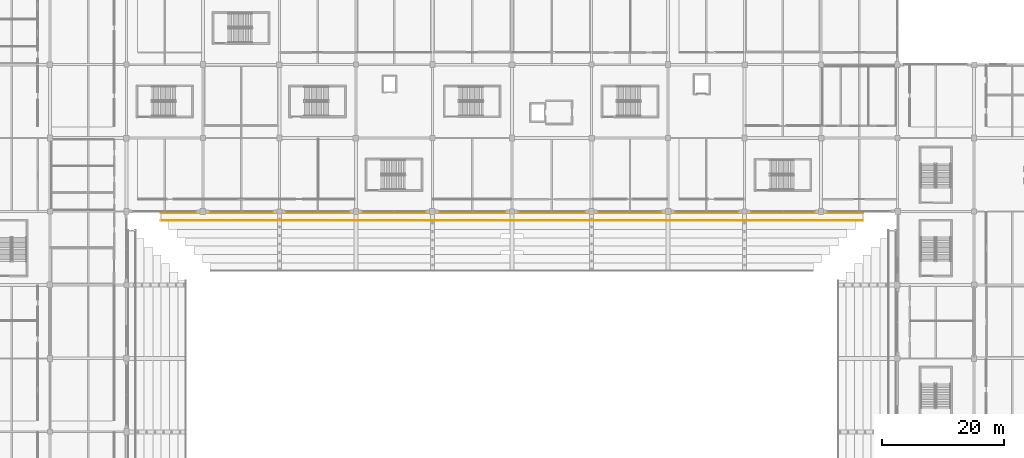
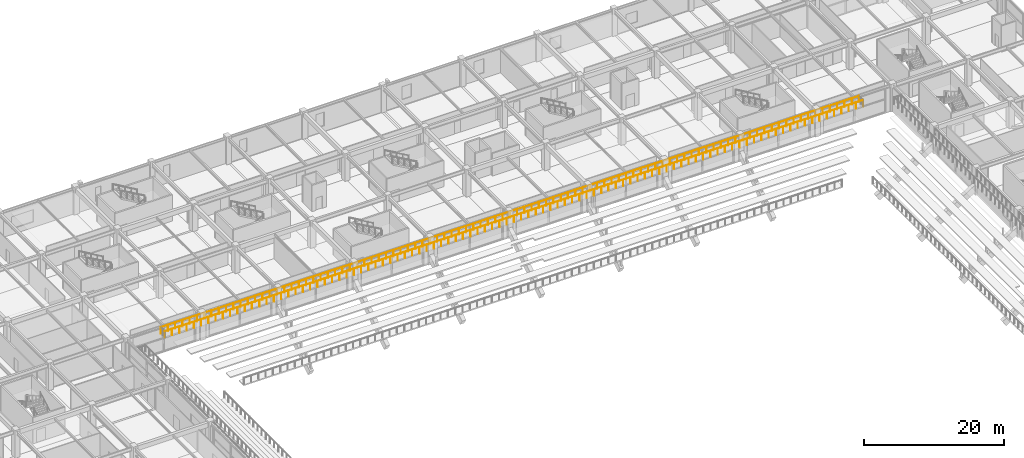
# One storey, part 128 of 134: 2 railings.
"""IFC4 building model written with IfcOpenShell, lengths in metres."""

from ifc_helpers import new_model, si_unit, direction, frame, origin, origin_2d, place, context, subcontext, project, spatial, circle, extrude, material, layer, layer_set, type_object, element, save


model = new_model("IFC4")

# Units and contexts
model_context = context("Model", 3, precision=1e-05, world=origin(), true_north=direction((0.0, 1.0)))
body_context = subcontext(model_context, "Body", "Model", "MODEL_VIEW")
ifc_project = project(units=[si_unit("LENGTHUNIT", "METRE"), si_unit("AREAUNIT", "SQUARE_METRE"), si_unit("VOLUMEUNIT", "CUBIC_METRE"), si_unit("PLANEANGLEUNIT", "RADIAN"), si_unit("MASSUNIT", "GRAM", prefix="KILO")], contexts=[model_context])

# Site, building, storey
site_placement = place(None, origin())
site = spatial("IfcSite", under=ifc_project, at=site_placement, CompositionType="ELEMENT")
building_placement = place(site_placement, origin())
building = spatial("IfcBuilding", under=site, at=building_placement, Name="Kazenohara Klinker Stadium", CompositionType="ELEMENT")
storey_placement = place(building_placement, frame((0.0, 0.0, 5.39990234375)))
storey = spatial("IfcBuildingStorey", under=building, at=storey_placement, Name="L01", CompositionType="ELEMENT", Elevation=5.39990234375)

# Railings
ifc_material = material(Name="Galvanised powder-coated steel guardrail", Category="steel")
ifc_layer = layer(ifc_material, 0.070068359375)
ifc_layer_set = layer_set([ifc_layer], Name="Galvanised powder-coated steel guardrail")
railing_type = type_object("IfcRailingType", Name="RL-GRD-1150", PredefinedType="GUARDRAIL", material=ifc_layer_set)
railing_1_placement = place(storey_placement, frame((54.59130859375, 130.548583984375, 3.400146484375)))
element("IfcRailing", 1, at=railing_1_placement, inside=storey, type_object=railing_type, Name="Spectator stand sightline guardrail TIER-LOWER-N-01-S", PredefinedType="GUARDRAIL", context=body_context, shape_type="SweptSolid", body=[
    extrude(circle(Radius=0.02392578125, at=origin_2d()), frame((0.0, 0.0, 1.1259765625), z_axis=(1.0, 0.0, 0.0), x_axis=(0.0, 1.0, 0.0)), (0.0, 0.0, 1.0), 114.8173828125),
    extrude(circle(Radius=0.02099609375, at=origin_2d()), origin(), (0.0, 0.0, 1.0), 1.101806640625),
    extrude(circle(Radius=0.02099609375, at=origin_2d()), frame((1.196044921875, 0.0, 0.0)), (0.0, 0.0, 1.0), 1.101806640625),
    extrude(circle(Radius=0.02099609375, at=origin_2d()), frame((2.39208984375, 0.0, 0.0)), (0.0, 0.0, 1.0), 1.101806640625),
    extrude(circle(Radius=0.02099609375, at=origin_2d()), frame((3.588134765625, 0.0, 0.0)), (0.0, 0.0, 1.0), 1.101806640625),
    extrude(circle(Radius=0.02099609375, at=origin_2d()), frame((4.7841796875, 0.0, 0.0)), (0.0, 0.0, 1.0), 1.101806640625),
    extrude(circle(Radius=0.02099609375, at=origin_2d()), frame((5.97998046875, 0.0, 0.0)), (0.0, 0.0, 1.0), 1.101806640625),
    extrude(circle(Radius=0.02099609375, at=origin_2d()), frame((7.176025390625, 0.0, 0.0)), (0.0, 0.0, 1.0), 1.101806640625),
    extrude(circle(Radius=0.02099609375, at=origin_2d()), frame((8.3720703125, 0.0, 0.0)), (0.0, 0.0, 1.0), 1.101806640625),
    extrude(circle(Radius=0.02099609375, at=origin_2d()), frame((9.568115234375, 0.0, 0.0)), (0.0, 0.0, 1.0), 1.101806640625),
    extrude(circle(Radius=0.02099609375, at=origin_2d()), frame((10.76416015625, 0.0, 0.0)), (0.0, 0.0, 1.0), 1.101806640625),
    extrude(circle(Radius=0.02099609375, at=origin_2d()), frame((11.960205078125, 0.0, 0.0)), (0.0, 0.0, 1.0), 1.101806640625),
    extrude(circle(Radius=0.02099609375, at=origin_2d()), frame((13.15625, 0.0, 0.0)), (0.0, 0.0, 1.0), 1.101806640625),
    extrude(circle(Radius=0.02099609375, at=origin_2d()), frame((14.35205078125, 0.0, 0.0)), (0.0, 0.0, 1.0), 1.101806640625),
    extrude(circle(Radius=0.02099609375, at=origin_2d()), frame((15.548095703125, 0.0, 0.0)), (0.0, 0.0, 1.0), 1.101806640625),
    extrude(circle(Radius=0.02099609375, at=origin_2d()), frame((16.744140625, 0.0, 0.0)), (0.0, 0.0, 1.0), 1.101806640625),
    extrude(circle(Radius=0.02099609375, at=origin_2d()), frame((17.940185546875, 0.0, 0.0)), (0.0, 0.0, 1.0), 1.101806640625),
    extrude(circle(Radius=0.02099609375, at=origin_2d()), frame((19.13623046875, 0.0, 0.0)), (0.0, 0.0, 1.0), 1.101806640625),
    extrude(circle(Radius=0.02099609375, at=origin_2d()), frame((20.332275390625, 0.0, 0.0)), (0.0, 0.0, 1.0), 1.101806640625),
    extrude(circle(Radius=0.02099609375, at=origin_2d()), frame((21.5283203125, 0.0, 0.0)), (0.0, 0.0, 1.0), 1.101806640625),
    extrude(circle(Radius=0.02099609375, at=origin_2d()), frame((22.724365234375, 0.0, 0.0)), (0.0, 0.0, 1.0), 1.101806640625),
    extrude(circle(Radius=0.02099609375, at=origin_2d()), frame((23.92041015625, 0.0, 0.0)), (0.0, 0.0, 1.0), 1.101806640625),
    extrude(circle(Radius=0.02099609375, at=origin_2d()), frame((25.1162109375, 0.0, 0.0)), (0.0, 0.0, 1.0), 1.101806640625),
    extrude(circle(Radius=0.02099609375, at=origin_2d()), frame((26.312255859375, 0.0, 0.0)), (0.0, 0.0, 1.0), 1.101806640625),
    extrude(circle(Radius=0.02099609375, at=origin_2d()), frame((27.50830078125, 0.0, 0.0)), (0.0, 0.0, 1.0), 1.101806640625),
    extrude(circle(Radius=0.02099609375, at=origin_2d()), frame((28.704345703125, 0.0, 0.0)), (0.0, 0.0, 1.0), 1.101806640625),
    extrude(circle(Radius=0.02099609375, at=origin_2d()), frame((29.900390625, 0.0, 0.0)), (0.0, 0.0, 1.0), 1.101806640625),
    extrude(circle(Radius=0.02099609375, at=origin_2d()), frame((31.096435546875, 0.0, 0.0)), (0.0, 0.0, 1.0), 1.101806640625),
    extrude(circle(Radius=0.02099609375, at=origin_2d()), frame((32.29248046875, 0.0, 0.0)), (0.0, 0.0, 1.0), 1.101806640625),
    extrude(circle(Radius=0.02099609375, at=origin_2d()), frame((33.48828125, 0.0, 0.0)), (0.0, 0.0, 1.0), 1.101806640625),
    extrude(circle(Radius=0.02099609375, at=origin_2d()), frame((34.684326171875, 0.0, 0.0)), (0.0, 0.0, 1.0), 1.101806640625),
    extrude(circle(Radius=0.02099609375, at=origin_2d()), frame((35.88037109375, 0.0, 0.0)), (0.0, 0.0, 1.0), 1.101806640625),
    extrude(circle(Radius=0.02099609375, at=origin_2d()), frame((37.076416015625, 0.0, 0.0)), (0.0, 0.0, 1.0), 1.101806640625),
    extrude(circle(Radius=0.02099609375, at=origin_2d()), frame((38.2724609375, 0.0, 0.0)), (0.0, 0.0, 1.0), 1.101806640625),
    extrude(circle(Radius=0.02099609375, at=origin_2d()), frame((39.468505859375, 0.0, 0.0)), (0.0, 0.0, 1.0), 1.101806640625),
    extrude(circle(Radius=0.02099609375, at=origin_2d()), frame((40.66455078125, 0.0, 0.0)), (0.0, 0.0, 1.0), 1.101806640625),
    extrude(circle(Radius=0.02099609375, at=origin_2d()), frame((41.860595703125, 0.0, 0.0)), (0.0, 0.0, 1.0), 1.101806640625),
    extrude(circle(Radius=0.02099609375, at=origin_2d()), frame((43.056640625, 0.0, 0.0)), (0.0, 0.0, 1.0), 1.101806640625),
    extrude(circle(Radius=0.02099609375, at=origin_2d()), frame((44.25244140625, 0.0, 0.0)), (0.0, 0.0, 1.0), 1.101806640625),
    extrude(circle(Radius=0.02099609375, at=origin_2d()), frame((45.448486328125, 0.0, 0.0)), (0.0, 0.0, 1.0), 1.101806640625),
    extrude(circle(Radius=0.02099609375, at=origin_2d()), frame((46.64453125, 0.0, 0.0)), (0.0, 0.0, 1.0), 1.101806640625),
    extrude(circle(Radius=0.02099609375, at=origin_2d()), frame((47.840576171875, 0.0, 0.0)), (0.0, 0.0, 1.0), 1.101806640625),
    extrude(circle(Radius=0.02099609375, at=origin_2d()), frame((49.03662109375, 0.0, 0.0)), (0.0, 0.0, 1.0), 1.101806640625),
    extrude(circle(Radius=0.02099609375, at=origin_2d()), frame((50.232666015625, 0.0, 0.0)), (0.0, 0.0, 1.0), 1.101806640625),
    extrude(circle(Radius=0.02099609375, at=origin_2d()), frame((51.4287109375, 0.0, 0.0)), (0.0, 0.0, 1.0), 1.101806640625),
    extrude(circle(Radius=0.02099609375, at=origin_2d()), frame((52.62451171875, 0.0, 0.0)), (0.0, 0.0, 1.0), 1.101806640625),
    extrude(circle(Radius=0.02099609375, at=origin_2d()), frame((53.820556640625, 0.0, 0.0)), (0.0, 0.0, 1.0), 1.101806640625),
    extrude(circle(Radius=0.02099609375, at=origin_2d()), frame((55.0166015625, 0.0, 0.0)), (0.0, 0.0, 1.0), 1.101806640625),
    extrude(circle(Radius=0.02099609375, at=origin_2d()), frame((56.212646484375, 0.0, 0.0)), (0.0, 0.0, 1.0), 1.101806640625),
    extrude(circle(Radius=0.02099609375, at=origin_2d()), frame((57.40869140625, 0.0, 0.0)), (0.0, 0.0, 1.0), 1.101806640625),
    extrude(circle(Radius=0.02099609375, at=origin_2d()), frame((58.604736328125, 0.0, 0.0)), (0.0, 0.0, 1.0), 1.101806640625),
    extrude(circle(Radius=0.02099609375, at=origin_2d()), frame((59.80078125, 0.0, 0.0)), (0.0, 0.0, 1.0), 1.101806640625),
    extrude(circle(Radius=0.02099609375, at=origin_2d()), frame((60.996826171875, 0.0, 0.0)), (0.0, 0.0, 1.0), 1.101806640625),
    extrude(circle(Radius=0.02099609375, at=origin_2d()), frame((62.192626953125, 0.0, 0.0)), (0.0, 0.0, 1.0), 1.101806640625),
    extrude(circle(Radius=0.02099609375, at=origin_2d()), frame((63.388671875, 0.0, 0.0)), (0.0, 0.0, 1.0), 1.101806640625),
    extrude(circle(Radius=0.02099609375, at=origin_2d()), frame((64.584716796875, 0.0, 0.0)), (0.0, 0.0, 1.0), 1.101806640625),
    extrude(circle(Radius=0.02099609375, at=origin_2d()), frame((65.78076171875, 0.0, 0.0)), (0.0, 0.0, 1.0), 1.101806640625),
    extrude(circle(Radius=0.02099609375, at=origin_2d()), frame((66.976806640625, 0.0, 0.0)), (0.0, 0.0, 1.0), 1.101806640625),
    extrude(circle(Radius=0.02099609375, at=origin_2d()), frame((68.1728515625, 0.0, 0.0)), (0.0, 0.0, 1.0), 1.101806640625),
    extrude(circle(Radius=0.02099609375, at=origin_2d()), frame((69.368896484375, 0.0, 0.0)), (0.0, 0.0, 1.0), 1.101806640625),
    extrude(circle(Radius=0.02099609375, at=origin_2d()), frame((70.56494140625, 0.0, 0.0)), (0.0, 0.0, 1.0), 1.101806640625),
    extrude(circle(Radius=0.02099609375, at=origin_2d()), frame((71.7607421875, 0.0, 0.0)), (0.0, 0.0, 1.0), 1.101806640625),
    extrude(circle(Radius=0.02099609375, at=origin_2d()), frame((72.956787109375, 0.0, 0.0)), (0.0, 0.0, 1.0), 1.101806640625),
    extrude(circle(Radius=0.02099609375, at=origin_2d()), frame((74.15283203125, 0.0, 0.0)), (0.0, 0.0, 1.0), 1.101806640625),
    extrude(circle(Radius=0.02099609375, at=origin_2d()), frame((75.348876953125, 0.0, 0.0)), (0.0, 0.0, 1.0), 1.101806640625),
    extrude(circle(Radius=0.02099609375, at=origin_2d()), frame((76.544921875, 0.0, 0.0)), (0.0, 0.0, 1.0), 1.101806640625),
    extrude(circle(Radius=0.02099609375, at=origin_2d()), frame((77.740966796875, 0.0, 0.0)), (0.0, 0.0, 1.0), 1.101806640625),
    extrude(circle(Radius=0.02099609375, at=origin_2d()), frame((78.93701171875, 0.0, 0.0)), (0.0, 0.0, 1.0), 1.101806640625),
    extrude(circle(Radius=0.02099609375, at=origin_2d()), frame((80.133056640625, 0.0, 0.0)), (0.0, 0.0, 1.0), 1.101806640625),
    extrude(circle(Radius=0.02099609375, at=origin_2d()), frame((81.3291015625, 0.0, 0.0)), (0.0, 0.0, 1.0), 1.101806640625),
    extrude(circle(Radius=0.02099609375, at=origin_2d()), frame((82.52490234375, 0.0, 0.0)), (0.0, 0.0, 1.0), 1.101806640625),
    extrude(circle(Radius=0.02099609375, at=origin_2d()), frame((83.720947265625, 0.0, 0.0)), (0.0, 0.0, 1.0), 1.101806640625),
    extrude(circle(Radius=0.02099609375, at=origin_2d()), frame((84.9169921875, 0.0, 0.0)), (0.0, 0.0, 1.0), 1.101806640625),
    extrude(circle(Radius=0.02099609375, at=origin_2d()), frame((86.113037109375, 0.0, 0.0)), (0.0, 0.0, 1.0), 1.101806640625),
    extrude(circle(Radius=0.02099609375, at=origin_2d()), frame((87.30908203125, 0.0, 0.0)), (0.0, 0.0, 1.0), 1.101806640625),
    extrude(circle(Radius=0.02099609375, at=origin_2d()), frame((88.505126953125, 0.0, 0.0)), (0.0, 0.0, 1.0), 1.101806640625),
    extrude(circle(Radius=0.02099609375, at=origin_2d()), frame((89.701171875, 0.0, 0.0)), (0.0, 0.0, 1.0), 1.101806640625),
    extrude(circle(Radius=0.02099609375, at=origin_2d()), frame((90.89697265625, 0.0, 0.0)), (0.0, 0.0, 1.0), 1.101806640625),
    extrude(circle(Radius=0.02099609375, at=origin_2d()), frame((92.093017578125, 0.0, 0.0)), (0.0, 0.0, 1.0), 1.101806640625),
    extrude(circle(Radius=0.02099609375, at=origin_2d()), frame((93.2890625, 0.0, 0.0)), (0.0, 0.0, 1.0), 1.101806640625),
    extrude(circle(Radius=0.02099609375, at=origin_2d()), frame((94.485107421875, 0.0, 0.0)), (0.0, 0.0, 1.0), 1.101806640625),
    extrude(circle(Radius=0.02099609375, at=origin_2d()), frame((95.68115234375, 0.0, 0.0)), (0.0, 0.0, 1.0), 1.101806640625),
    extrude(circle(Radius=0.02099609375, at=origin_2d()), frame((96.877197265625, 0.0, 0.0)), (0.0, 0.0, 1.0), 1.101806640625),
    extrude(circle(Radius=0.02099609375, at=origin_2d()), frame((98.0732421875, 0.0, 0.0)), (0.0, 0.0, 1.0), 1.101806640625),
    extrude(circle(Radius=0.02099609375, at=origin_2d()), frame((99.269287109375, 0.0, 0.0)), (0.0, 0.0, 1.0), 1.101806640625),
    extrude(circle(Radius=0.02099609375, at=origin_2d()), frame((100.46533203125, 0.0, 0.0)), (0.0, 0.0, 1.0), 1.101806640625),
    extrude(circle(Radius=0.02099609375, at=origin_2d()), frame((101.6611328125, 0.0, 0.0)), (0.0, 0.0, 1.0), 1.101806640625),
    extrude(circle(Radius=0.02099609375, at=origin_2d()), frame((102.857177734375, 0.0, 0.0)), (0.0, 0.0, 1.0), 1.101806640625),
    extrude(circle(Radius=0.02099609375, at=origin_2d()), frame((104.05322265625, 0.0, 0.0)), (0.0, 0.0, 1.0), 1.101806640625),
    extrude(circle(Radius=0.02099609375, at=origin_2d()), frame((105.249267578125, 0.0, 0.0)), (0.0, 0.0, 1.0), 1.101806640625),
    extrude(circle(Radius=0.02099609375, at=origin_2d()), frame((106.4453125, 0.0, 0.0)), (0.0, 0.0, 1.0), 1.101806640625),
    extrude(circle(Radius=0.02099609375, at=origin_2d()), frame((107.641357421875, 0.0, 0.0)), (0.0, 0.0, 1.0), 1.101806640625),
    extrude(circle(Radius=0.02099609375, at=origin_2d()), frame((108.83740234375, 0.0, 0.0)), (0.0, 0.0, 1.0), 1.101806640625),
    extrude(circle(Radius=0.02099609375, at=origin_2d()), frame((110.033203125, 0.0, 0.0)), (0.0, 0.0, 1.0), 1.101806640625),
    extrude(circle(Radius=0.02099609375, at=origin_2d()), frame((111.229248046875, 0.0, 0.0)), (0.0, 0.0, 1.0), 1.101806640625),
    extrude(circle(Radius=0.02099609375, at=origin_2d()), frame((112.42529296875, 0.0, 0.0)), (0.0, 0.0, 1.0), 1.101806640625),
    extrude(circle(Radius=0.02099609375, at=origin_2d()), frame((113.621337890625, 0.0, 0.0)), (0.0, 0.0, 1.0), 1.101806640625),
    extrude(circle(Radius=0.02099609375, at=origin_2d()), frame((114.8173828125, 0.0, 0.0)), (0.0, 0.0, 1.0), 1.101806640625),
])
railing_2_placement = place(storey_placement, frame((54.59130859375, 131.719970703125, 3.400146484375)))
element("IfcRailing", 2, at=railing_2_placement, inside=storey, type_object=railing_type, Name="Spectator stand sightline guardrail TIER-LOWER-N-01-N", PredefinedType="GUARDRAIL", context=body_context, shape_type="SweptSolid", body=[
    extrude(circle(Radius=0.02392578125, at=origin_2d()), frame((0.0, 0.0, 1.1259765625), z_axis=(1.0, 0.0, 0.0), x_axis=(0.0, 1.0, 0.0)), (0.0, 0.0, 1.0), 114.8173828125),
    extrude(circle(Radius=0.02099609375, at=origin_2d()), origin(), (0.0, 0.0, 1.0), 1.101806640625),
    extrude(circle(Radius=0.02099609375, at=origin_2d()), frame((1.196044921875, 0.0, 0.0)), (0.0, 0.0, 1.0), 1.101806640625),
    extrude(circle(Radius=0.02099609375, at=origin_2d()), frame((2.39208984375, 0.0, 0.0)), (0.0, 0.0, 1.0), 1.101806640625),
    extrude(circle(Radius=0.02099609375, at=origin_2d()), frame((3.588134765625, 0.0, 0.0)), (0.0, 0.0, 1.0), 1.101806640625),
    extrude(circle(Radius=0.02099609375, at=origin_2d()), frame((4.7841796875, 0.0, 0.0)), (0.0, 0.0, 1.0), 1.101806640625),
    extrude(circle(Radius=0.02099609375, at=origin_2d()), frame((5.97998046875, 0.0, 0.0)), (0.0, 0.0, 1.0), 1.101806640625),
    extrude(circle(Radius=0.02099609375, at=origin_2d()), frame((7.176025390625, 0.0, 0.0)), (0.0, 0.0, 1.0), 1.101806640625),
    extrude(circle(Radius=0.02099609375, at=origin_2d()), frame((8.3720703125, 0.0, 0.0)), (0.0, 0.0, 1.0), 1.101806640625),
    extrude(circle(Radius=0.02099609375, at=origin_2d()), frame((9.568115234375, 0.0, 0.0)), (0.0, 0.0, 1.0), 1.101806640625),
    extrude(circle(Radius=0.02099609375, at=origin_2d()), frame((10.76416015625, 0.0, 0.0)), (0.0, 0.0, 1.0), 1.101806640625),
    extrude(circle(Radius=0.02099609375, at=origin_2d()), frame((11.960205078125, 0.0, 0.0)), (0.0, 0.0, 1.0), 1.101806640625),
    extrude(circle(Radius=0.02099609375, at=origin_2d()), frame((13.15625, 0.0, 0.0)), (0.0, 0.0, 1.0), 1.101806640625),
    extrude(circle(Radius=0.02099609375, at=origin_2d()), frame((14.35205078125, 0.0, 0.0)), (0.0, 0.0, 1.0), 1.101806640625),
    extrude(circle(Radius=0.02099609375, at=origin_2d()), frame((15.548095703125, 0.0, 0.0)), (0.0, 0.0, 1.0), 1.101806640625),
    extrude(circle(Radius=0.02099609375, at=origin_2d()), frame((16.744140625, 0.0, 0.0)), (0.0, 0.0, 1.0), 1.101806640625),
    extrude(circle(Radius=0.02099609375, at=origin_2d()), frame((17.940185546875, 0.0, 0.0)), (0.0, 0.0, 1.0), 1.101806640625),
    extrude(circle(Radius=0.02099609375, at=origin_2d()), frame((19.13623046875, 0.0, 0.0)), (0.0, 0.0, 1.0), 1.101806640625),
    extrude(circle(Radius=0.02099609375, at=origin_2d()), frame((20.332275390625, 0.0, 0.0)), (0.0, 0.0, 1.0), 1.101806640625),
    extrude(circle(Radius=0.02099609375, at=origin_2d()), frame((21.5283203125, 0.0, 0.0)), (0.0, 0.0, 1.0), 1.101806640625),
    extrude(circle(Radius=0.02099609375, at=origin_2d()), frame((22.724365234375, 0.0, 0.0)), (0.0, 0.0, 1.0), 1.101806640625),
    extrude(circle(Radius=0.02099609375, at=origin_2d()), frame((23.92041015625, 0.0, 0.0)), (0.0, 0.0, 1.0), 1.101806640625),
    extrude(circle(Radius=0.02099609375, at=origin_2d()), frame((25.1162109375, 0.0, 0.0)), (0.0, 0.0, 1.0), 1.101806640625),
    extrude(circle(Radius=0.02099609375, at=origin_2d()), frame((26.312255859375, 0.0, 0.0)), (0.0, 0.0, 1.0), 1.101806640625),
    extrude(circle(Radius=0.02099609375, at=origin_2d()), frame((27.50830078125, 0.0, 0.0)), (0.0, 0.0, 1.0), 1.101806640625),
    extrude(circle(Radius=0.02099609375, at=origin_2d()), frame((28.704345703125, 0.0, 0.0)), (0.0, 0.0, 1.0), 1.101806640625),
    extrude(circle(Radius=0.02099609375, at=origin_2d()), frame((29.900390625, 0.0, 0.0)), (0.0, 0.0, 1.0), 1.101806640625),
    extrude(circle(Radius=0.02099609375, at=origin_2d()), frame((31.096435546875, 0.0, 0.0)), (0.0, 0.0, 1.0), 1.101806640625),
    extrude(circle(Radius=0.02099609375, at=origin_2d()), frame((32.29248046875, 0.0, 0.0)), (0.0, 0.0, 1.0), 1.101806640625),
    extrude(circle(Radius=0.02099609375, at=origin_2d()), frame((33.48828125, 0.0, 0.0)), (0.0, 0.0, 1.0), 1.101806640625),
    extrude(circle(Radius=0.02099609375, at=origin_2d()), frame((34.684326171875, 0.0, 0.0)), (0.0, 0.0, 1.0), 1.101806640625),
    extrude(circle(Radius=0.02099609375, at=origin_2d()), frame((35.88037109375, 0.0, 0.0)), (0.0, 0.0, 1.0), 1.101806640625),
    extrude(circle(Radius=0.02099609375, at=origin_2d()), frame((37.076416015625, 0.0, 0.0)), (0.0, 0.0, 1.0), 1.101806640625),
    extrude(circle(Radius=0.02099609375, at=origin_2d()), frame((38.2724609375, 0.0, 0.0)), (0.0, 0.0, 1.0), 1.101806640625),
    extrude(circle(Radius=0.02099609375, at=origin_2d()), frame((39.468505859375, 0.0, 0.0)), (0.0, 0.0, 1.0), 1.101806640625),
    extrude(circle(Radius=0.02099609375, at=origin_2d()), frame((40.66455078125, 0.0, 0.0)), (0.0, 0.0, 1.0), 1.101806640625),
    extrude(circle(Radius=0.02099609375, at=origin_2d()), frame((41.860595703125, 0.0, 0.0)), (0.0, 0.0, 1.0), 1.101806640625),
    extrude(circle(Radius=0.02099609375, at=origin_2d()), frame((43.056640625, 0.0, 0.0)), (0.0, 0.0, 1.0), 1.101806640625),
    extrude(circle(Radius=0.02099609375, at=origin_2d()), frame((44.25244140625, 0.0, 0.0)), (0.0, 0.0, 1.0), 1.101806640625),
    extrude(circle(Radius=0.02099609375, at=origin_2d()), frame((45.448486328125, 0.0, 0.0)), (0.0, 0.0, 1.0), 1.101806640625),
    extrude(circle(Radius=0.02099609375, at=origin_2d()), frame((46.64453125, 0.0, 0.0)), (0.0, 0.0, 1.0), 1.101806640625),
    extrude(circle(Radius=0.02099609375, at=origin_2d()), frame((47.840576171875, 0.0, 0.0)), (0.0, 0.0, 1.0), 1.101806640625),
    extrude(circle(Radius=0.02099609375, at=origin_2d()), frame((49.03662109375, 0.0, 0.0)), (0.0, 0.0, 1.0), 1.101806640625),
    extrude(circle(Radius=0.02099609375, at=origin_2d()), frame((50.232666015625, 0.0, 0.0)), (0.0, 0.0, 1.0), 1.101806640625),
    extrude(circle(Radius=0.02099609375, at=origin_2d()), frame((51.4287109375, 0.0, 0.0)), (0.0, 0.0, 1.0), 1.101806640625),
    extrude(circle(Radius=0.02099609375, at=origin_2d()), frame((52.62451171875, 0.0, 0.0)), (0.0, 0.0, 1.0), 1.101806640625),
    extrude(circle(Radius=0.02099609375, at=origin_2d()), frame((53.820556640625, 0.0, 0.0)), (0.0, 0.0, 1.0), 1.101806640625),
    extrude(circle(Radius=0.02099609375, at=origin_2d()), frame((55.0166015625, 0.0, 0.0)), (0.0, 0.0, 1.0), 1.101806640625),
    extrude(circle(Radius=0.02099609375, at=origin_2d()), frame((56.212646484375, 0.0, 0.0)), (0.0, 0.0, 1.0), 1.101806640625),
    extrude(circle(Radius=0.02099609375, at=origin_2d()), frame((57.40869140625, 0.0, 0.0)), (0.0, 0.0, 1.0), 1.101806640625),
    extrude(circle(Radius=0.02099609375, at=origin_2d()), frame((58.604736328125, 0.0, 0.0)), (0.0, 0.0, 1.0), 1.101806640625),
    extrude(circle(Radius=0.02099609375, at=origin_2d()), frame((59.80078125, 0.0, 0.0)), (0.0, 0.0, 1.0), 1.101806640625),
    extrude(circle(Radius=0.02099609375, at=origin_2d()), frame((60.996826171875, 0.0, 0.0)), (0.0, 0.0, 1.0), 1.101806640625),
    extrude(circle(Radius=0.02099609375, at=origin_2d()), frame((62.192626953125, 0.0, 0.0)), (0.0, 0.0, 1.0), 1.101806640625),
    extrude(circle(Radius=0.02099609375, at=origin_2d()), frame((63.388671875, 0.0, 0.0)), (0.0, 0.0, 1.0), 1.101806640625),
    extrude(circle(Radius=0.02099609375, at=origin_2d()), frame((64.584716796875, 0.0, 0.0)), (0.0, 0.0, 1.0), 1.101806640625),
    extrude(circle(Radius=0.02099609375, at=origin_2d()), frame((65.78076171875, 0.0, 0.0)), (0.0, 0.0, 1.0), 1.101806640625),
    extrude(circle(Radius=0.02099609375, at=origin_2d()), frame((66.976806640625, 0.0, 0.0)), (0.0, 0.0, 1.0), 1.101806640625),
    extrude(circle(Radius=0.02099609375, at=origin_2d()), frame((68.1728515625, 0.0, 0.0)), (0.0, 0.0, 1.0), 1.101806640625),
    extrude(circle(Radius=0.02099609375, at=origin_2d()), frame((69.368896484375, 0.0, 0.0)), (0.0, 0.0, 1.0), 1.101806640625),
    extrude(circle(Radius=0.02099609375, at=origin_2d()), frame((70.56494140625, 0.0, 0.0)), (0.0, 0.0, 1.0), 1.101806640625),
    extrude(circle(Radius=0.02099609375, at=origin_2d()), frame((71.7607421875, 0.0, 0.0)), (0.0, 0.0, 1.0), 1.101806640625),
    extrude(circle(Radius=0.02099609375, at=origin_2d()), frame((72.956787109375, 0.0, 0.0)), (0.0, 0.0, 1.0), 1.101806640625),
    extrude(circle(Radius=0.02099609375, at=origin_2d()), frame((74.15283203125, 0.0, 0.0)), (0.0, 0.0, 1.0), 1.101806640625),
    extrude(circle(Radius=0.02099609375, at=origin_2d()), frame((75.348876953125, 0.0, 0.0)), (0.0, 0.0, 1.0), 1.101806640625),
    extrude(circle(Radius=0.02099609375, at=origin_2d()), frame((76.544921875, 0.0, 0.0)), (0.0, 0.0, 1.0), 1.101806640625),
    extrude(circle(Radius=0.02099609375, at=origin_2d()), frame((77.740966796875, 0.0, 0.0)), (0.0, 0.0, 1.0), 1.101806640625),
    extrude(circle(Radius=0.02099609375, at=origin_2d()), frame((78.93701171875, 0.0, 0.0)), (0.0, 0.0, 1.0), 1.101806640625),
    extrude(circle(Radius=0.02099609375, at=origin_2d()), frame((80.133056640625, 0.0, 0.0)), (0.0, 0.0, 1.0), 1.101806640625),
    extrude(circle(Radius=0.02099609375, at=origin_2d()), frame((81.3291015625, 0.0, 0.0)), (0.0, 0.0, 1.0), 1.101806640625),
    extrude(circle(Radius=0.02099609375, at=origin_2d()), frame((82.52490234375, 0.0, 0.0)), (0.0, 0.0, 1.0), 1.101806640625),
    extrude(circle(Radius=0.02099609375, at=origin_2d()), frame((83.720947265625, 0.0, 0.0)), (0.0, 0.0, 1.0), 1.101806640625),
    extrude(circle(Radius=0.02099609375, at=origin_2d()), frame((84.9169921875, 0.0, 0.0)), (0.0, 0.0, 1.0), 1.101806640625),
    extrude(circle(Radius=0.02099609375, at=origin_2d()), frame((86.113037109375, 0.0, 0.0)), (0.0, 0.0, 1.0), 1.101806640625),
    extrude(circle(Radius=0.02099609375, at=origin_2d()), frame((87.30908203125, 0.0, 0.0)), (0.0, 0.0, 1.0), 1.101806640625),
    extrude(circle(Radius=0.02099609375, at=origin_2d()), frame((88.505126953125, 0.0, 0.0)), (0.0, 0.0, 1.0), 1.101806640625),
    extrude(circle(Radius=0.02099609375, at=origin_2d()), frame((89.701171875, 0.0, 0.0)), (0.0, 0.0, 1.0), 1.101806640625),
    extrude(circle(Radius=0.02099609375, at=origin_2d()), frame((90.89697265625, 0.0, 0.0)), (0.0, 0.0, 1.0), 1.101806640625),
    extrude(circle(Radius=0.02099609375, at=origin_2d()), frame((92.093017578125, 0.0, 0.0)), (0.0, 0.0, 1.0), 1.101806640625),
    extrude(circle(Radius=0.02099609375, at=origin_2d()), frame((93.2890625, 0.0, 0.0)), (0.0, 0.0, 1.0), 1.101806640625),
    extrude(circle(Radius=0.02099609375, at=origin_2d()), frame((94.485107421875, 0.0, 0.0)), (0.0, 0.0, 1.0), 1.101806640625),
    extrude(circle(Radius=0.02099609375, at=origin_2d()), frame((95.68115234375, 0.0, 0.0)), (0.0, 0.0, 1.0), 1.101806640625),
    extrude(circle(Radius=0.02099609375, at=origin_2d()), frame((96.877197265625, 0.0, 0.0)), (0.0, 0.0, 1.0), 1.101806640625),
    extrude(circle(Radius=0.02099609375, at=origin_2d()), frame((98.0732421875, 0.0, 0.0)), (0.0, 0.0, 1.0), 1.101806640625),
    extrude(circle(Radius=0.02099609375, at=origin_2d()), frame((99.269287109375, 0.0, 0.0)), (0.0, 0.0, 1.0), 1.101806640625),
    extrude(circle(Radius=0.02099609375, at=origin_2d()), frame((100.46533203125, 0.0, 0.0)), (0.0, 0.0, 1.0), 1.101806640625),
    extrude(circle(Radius=0.02099609375, at=origin_2d()), frame((101.6611328125, 0.0, 0.0)), (0.0, 0.0, 1.0), 1.101806640625),
    extrude(circle(Radius=0.02099609375, at=origin_2d()), frame((102.857177734375, 0.0, 0.0)), (0.0, 0.0, 1.0), 1.101806640625),
    extrude(circle(Radius=0.02099609375, at=origin_2d()), frame((104.05322265625, 0.0, 0.0)), (0.0, 0.0, 1.0), 1.101806640625),
    extrude(circle(Radius=0.02099609375, at=origin_2d()), frame((105.249267578125, 0.0, 0.0)), (0.0, 0.0, 1.0), 1.101806640625),
    extrude(circle(Radius=0.02099609375, at=origin_2d()), frame((106.4453125, 0.0, 0.0)), (0.0, 0.0, 1.0), 1.101806640625),
    extrude(circle(Radius=0.02099609375, at=origin_2d()), frame((107.641357421875, 0.0, 0.0)), (0.0, 0.0, 1.0), 1.101806640625),
    extrude(circle(Radius=0.02099609375, at=origin_2d()), frame((108.83740234375, 0.0, 0.0)), (0.0, 0.0, 1.0), 1.101806640625),
    extrude(circle(Radius=0.02099609375, at=origin_2d()), frame((110.033203125, 0.0, 0.0)), (0.0, 0.0, 1.0), 1.101806640625),
    extrude(circle(Radius=0.02099609375, at=origin_2d()), frame((111.229248046875, 0.0, 0.0)), (0.0, 0.0, 1.0), 1.101806640625),
    extrude(circle(Radius=0.02099609375, at=origin_2d()), frame((112.42529296875, 0.0, 0.0)), (0.0, 0.0, 1.0), 1.101806640625),
    extrude(circle(Radius=0.02099609375, at=origin_2d()), frame((113.621337890625, 0.0, 0.0)), (0.0, 0.0, 1.0), 1.101806640625),
    extrude(circle(Radius=0.02099609375, at=origin_2d()), frame((114.8173828125, 0.0, 0.0)), (0.0, 0.0, 1.0), 1.101806640625),
])

save(model, "model.ifc")
